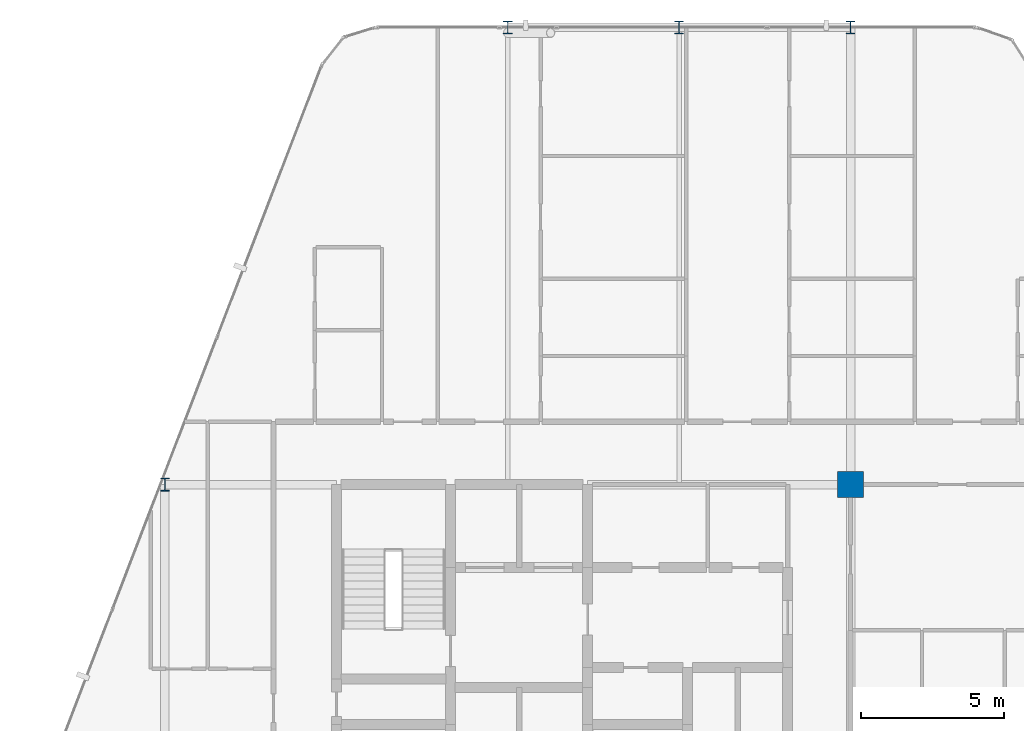
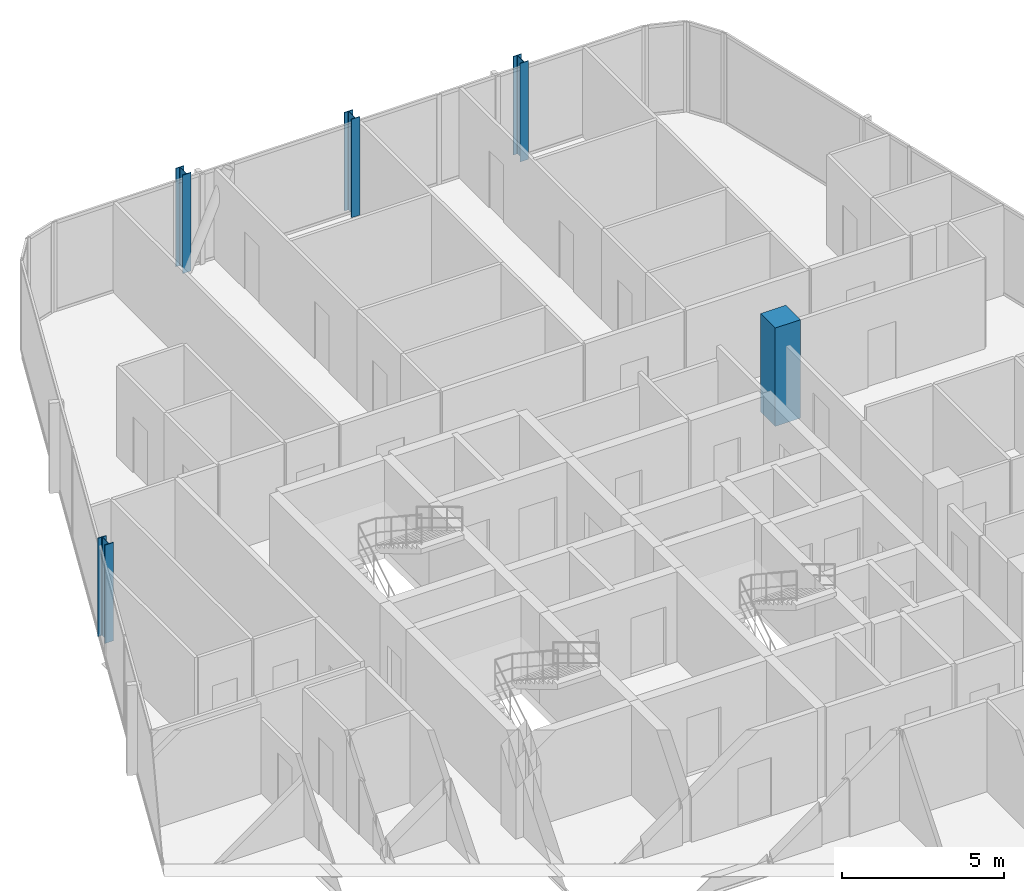
# One storey, part 3 of 29: 5 columns.
"""IFC4 building model written with IfcOpenShell, lengths in metres."""

from ifc_helpers import new_model, si_unit, direction, frame, origin, origin_2d, place, context, subcontext, project, spatial, rectangle, i_section, extrude, material, material_profile, profile_set, type_object, element, save


model = new_model("IFC4")

# Units and contexts
model_context = context("Model", 3, precision=1e-05, world=origin(), true_north=direction((0.0, 1.0)))
body_context = subcontext(model_context, "Body", "Model", "MODEL_VIEW")
ifc_project = project(units=[si_unit("LENGTHUNIT", "METRE"), si_unit("AREAUNIT", "SQUARE_METRE"), si_unit("VOLUMEUNIT", "CUBIC_METRE"), si_unit("PLANEANGLEUNIT", "RADIAN"), si_unit("MASSUNIT", "GRAM", prefix="KILO")], contexts=[model_context])

# Site, building, storey
site_placement = place(None, origin())
site = spatial("IfcSite", under=ifc_project, at=site_placement, CompositionType="ELEMENT")
building_placement = place(site_placement, origin())
building = spatial("IfcBuilding", under=site, at=building_placement, Name="Keshet Zoharim Tower", CompositionType="ELEMENT")
storey_placement = place(building_placement, frame((0.0, 0.0, 172.800048828125)))
storey = spatial("IfcBuildingStorey", under=building, at=storey_placement, Name="L42", CompositionType="ELEMENT", Elevation=172.800048828125)

# Columns
ifc_material_1 = material(Name="Steel S355", Category="steel")
ifc_material_profile_1 = material_profile(ifc_material_1, i_section(OverallWidth=0.300048828125, OverallDepth=0.449951171875, WebThickness=0.013916015625, FlangeThickness=0.02587890625, FilletRadius=0.027099609375, at=origin_2d()), Name="HEB450")
ifc_profile_set_1 = profile_set([ifc_material_profile_1], Name="Steel S355")
column_type_1 = type_object("IfcColumnType", Name="COL-HEB450", PredefinedType="COLUMN", material=ifc_profile_set_1)
for number, where, z_axis, x_axis, name in (
    (1, (9.0, 37.89990234375, 0.0), (0.0, 0.0, 1.0), (1.0, 0.0, 0.0), "L42 Column 2H"),
    (2, (21.0, 53.89990234375, 0.0), (0.0, 0.0, 1.0), (1.0, 0.0, 0.0), "L42 Column 4L"),
    (3, (27.0, 53.89990234375, 0.0), (0.0, 0.0, 1.0), (1.0, 0.0, 0.0), "L42 Column 5L"),
    (4, (33.0, 53.89990234375, 0.0), (0.0, 0.0, 1.0), (1.0, 0.0, 0.0), "L42 Column 6L"),
):
    element("IfcColumn", number, at=place(storey_placement, frame(where, z_axis=z_axis, x_axis=x_axis)), inside=storey, type_object=column_type_1, Name=name, PredefinedType="COLUMN", context=body_context, shape_type="SweptSolid", body=[
        extrude(i_section(OverallWidth=0.300048828125, OverallDepth=0.449951171875, WebThickness=0.013916015625, FlangeThickness=0.02587890625, FilletRadius=0.027099609375, at=origin_2d()), origin(), (0.0, 0.0, 1.0), 3.699951171875),
    ])
ifc_material_2 = material(Name="Concrete C60/75", Category="concrete")
ifc_material_profile_2 = material_profile(ifc_material_2, rectangle(XDim=0.89990234375, YDim=0.89990234375, at=origin_2d()), Name="RC900x900")
ifc_profile_set_2 = profile_set([ifc_material_profile_2], Name="Concrete C60/75")
column_type_2 = type_object("IfcColumnType", Name="COL-RC900", PredefinedType="COLUMN", material=ifc_profile_set_2)
column_placement = place(storey_placement, frame((33.0, 37.89990234375, 0.0), z_axis=(0.0, 0.0, 1.0), x_axis=(1.0, 0.0, 0.0)))
element("IfcColumn", 5, at=column_placement, inside=storey, type_object=column_type_2, Name="L42 Column 6H", PredefinedType="COLUMN", context=body_context, shape_type="SweptSolid", body=[
    extrude(rectangle(XDim=0.89990234375, YDim=0.89990234375, at=origin_2d()), origin(), (0.0, 0.0, 1.0), 3.699951171875),
])

save(model, "model.ifc")
